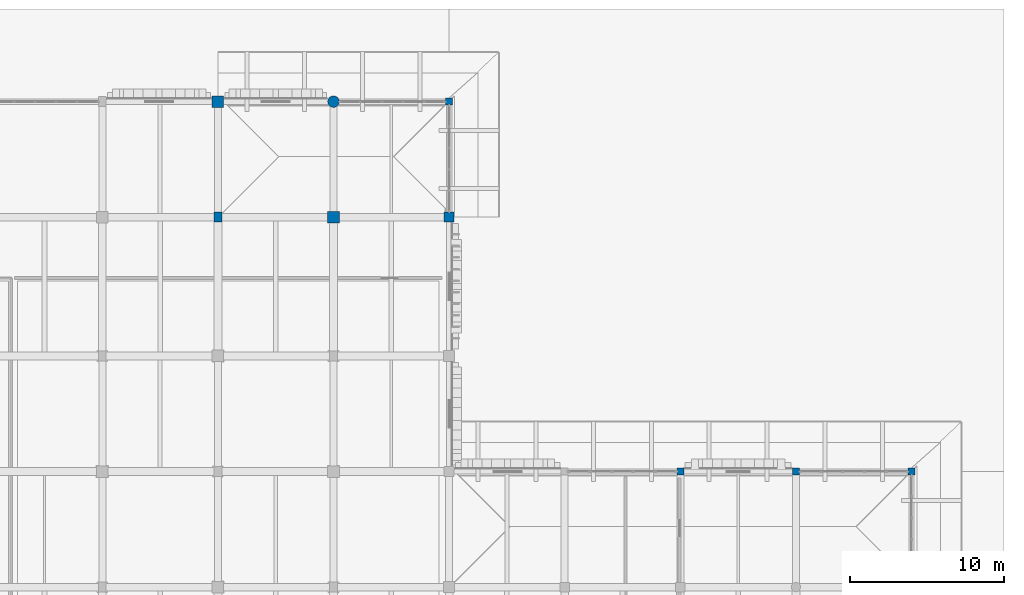
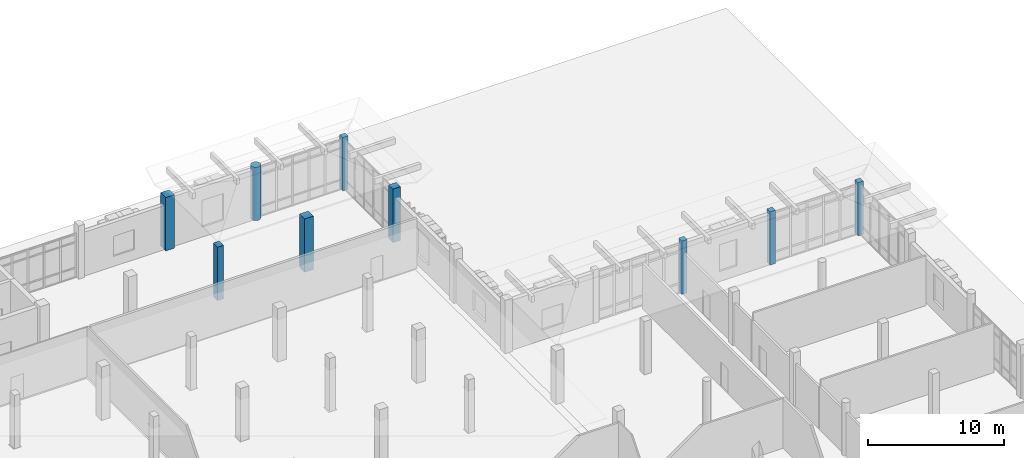
# One storey, part 13 of 125: 9 columns.
"""IFC4 building model written with IfcOpenShell, lengths in metres."""

from ifc_helpers import new_model, si_unit, direction, frame, origin, origin_2d, place, context, subcontext, project, spatial, rectangle, circle, extrude, material, material_profile, profile_set, type_object, element, save


model = new_model("IFC4")

# Units and contexts
model_context = context("Model", 3, precision=1e-05, world=origin(), true_north=direction((0.0, 1.0)))
body_context = subcontext(model_context, "Body", "Model", "MODEL_VIEW")
ifc_project = project(units=[si_unit("LENGTHUNIT", "METRE"), si_unit("AREAUNIT", "SQUARE_METRE"), si_unit("VOLUMEUNIT", "CUBIC_METRE"), si_unit("PLANEANGLEUNIT", "RADIAN"), si_unit("MASSUNIT", "GRAM", prefix="KILO")], contexts=[model_context])

# Site, building, storey
site_placement = place(None, origin())
site = spatial("IfcSite", under=ifc_project, at=site_placement, CompositionType="ELEMENT")
building_placement = place(site_placement, origin())
building = spatial("IfcBuilding", under=site, at=building_placement, Name="Dalvernix Boulevard General Hospital", CompositionType="ELEMENT")
storey_placement = place(building_placement, origin())
storey = spatial("IfcBuildingStorey", under=building, at=storey_placement, Name="L00", CompositionType="ELEMENT", Elevation=0.0)

# Columns
ifc_material = material(Name="Concrete C40/50", Category="concrete")
ifc_material_profile_1 = material_profile(ifc_material, rectangle(XDim=0.75, YDim=0.75, at=origin_2d()), Name="RC 750x750")
ifc_profile_set_1 = profile_set([ifc_material_profile_1], Name="Concrete C40/50")
column_type_1 = type_object("IfcColumnType", Name="COL-C-04-E", PredefinedType="COLUMN", material=ifc_profile_set_1)
column_1_placement = place(storey_placement, frame((127.5, 117.0, 0.0), z_axis=(0.0, 0.0, 1.0), x_axis=(1.0, 0.0, 0.0)))
element("IfcColumn", 1, at=column_1_placement, inside=storey, type_object=column_type_1, Name="L00 column 18R", PredefinedType="COLUMN", context=body_context, shape_type="SweptSolid", body=[
    extrude(rectangle(XDim=0.75, YDim=0.75, at=origin_2d()), origin(), (0.0, 0.0, 1.0), 4.800048828125),
])
ifc_material_profile_2 = material_profile(ifc_material, rectangle(XDim=0.75, YDim=0.75, at=origin_2d()), Name="RC 750x750")
ifc_profile_set_2 = profile_set([ifc_material_profile_2], Name="Concrete C40/50")
column_type_2 = type_object("IfcColumnType", Name="COL-C-04-I", PredefinedType="COLUMN", material=ifc_profile_set_2)
column_2_placement = place(storey_placement, frame((135.0, 109.5, 0.0), z_axis=(0.0, 0.0, 1.0), x_axis=(1.0, 0.0, 0.0)))
element("IfcColumn", 2, at=column_2_placement, inside=storey, type_object=column_type_2, Name="L00 column 19Q", PredefinedType="COLUMN", context=body_context, shape_type="SweptSolid", body=[
    extrude(rectangle(XDim=0.75, YDim=0.75, at=origin_2d()), origin(), (0.0, 0.0, 1.0), 4.800048828125),
])
ifc_material_profile_3 = material_profile(ifc_material, rectangle(XDim=0.64990234375, YDim=0.64990234375, at=origin_2d()), Name="RC 650x650")
ifc_profile_set_3 = profile_set([ifc_material_profile_3], Name="Concrete C40/50")
column_type_3 = type_object("IfcColumnType", Name="COL-C-06-E", PredefinedType="COLUMN", material=ifc_profile_set_3)
column_3_placement = place(storey_placement, frame((142.5, 109.5, 0.0), z_axis=(0.0, 0.0, 1.0), x_axis=(1.0, 0.0, 0.0)))
element("IfcColumn", 3, at=column_3_placement, inside=storey, type_object=column_type_3, Name="L00 column 20Q", PredefinedType="COLUMN", context=body_context, shape_type="SweptSolid", body=[
    extrude(rectangle(XDim=0.64990234375, YDim=0.64990234375, at=origin_2d()), origin(), (0.0, 0.0, 1.0), 4.800048828125),
])
ifc_material_profile_4 = material_profile(ifc_material, rectangle(XDim=0.449951171875, YDim=0.449951171875, at=origin_2d()), Name="RC 450x450")
ifc_profile_set_4 = profile_set([ifc_material_profile_4], Name="Concrete C40/50")
column_type_4 = type_object("IfcColumnType", Name="COL-C-10-E", PredefinedType="COLUMN", material=ifc_profile_set_4)
for number, where, z_axis, x_axis, name in (
    (4, (142.5, 117.0, 0.0), (0.0, 0.0, 1.0), (1.0, 0.0, 0.0), "L00 column 20R"),
    (5, (157.5, 93.0, 0.0), (0.0, 0.0, 1.0), (1.0, 0.0, 0.0), "L00 column 22N"),
    (6, (165.0, 93.0, 0.0), (0.0, 0.0, 1.0), (1.0, 0.0, 0.0), "L00 column 23N"),
    (7, (172.5, 93.0, 0.0), (0.0, 0.0, 1.0), (1.0, 0.0, 0.0), "L00 column 24N"),
):
    element("IfcColumn", number, at=place(storey_placement, frame(where, z_axis=z_axis, x_axis=x_axis)), inside=storey, type_object=column_type_4, Name=name, PredefinedType="COLUMN", context=body_context, shape_type="SweptSolid", body=[
        extrude(rectangle(XDim=0.449951171875, YDim=0.449951171875, at=origin_2d()), origin(), (0.0, 0.0, 1.0), 4.800048828125),
    ])
ifc_material_profile_5 = material_profile(ifc_material, rectangle(XDim=0.5, YDim=0.64990234375, at=origin_2d()), Name="RC 500x650")
ifc_profile_set_5 = profile_set([ifc_material_profile_5], Name="Concrete C40/50")
column_type_5 = type_object("IfcColumnType", Name="COL-C-12-I", PredefinedType="COLUMN", material=ifc_profile_set_5)
column_4_placement = place(storey_placement, frame((127.5, 109.5, 0.0), z_axis=(0.0, 0.0, 1.0), x_axis=(1.0, 0.0, 0.0)))
element("IfcColumn", 8, at=column_4_placement, inside=storey, type_object=column_type_5, Name="L00 column 18Q", PredefinedType="COLUMN", context=body_context, shape_type="SweptSolid", body=[
    extrude(rectangle(XDim=0.5, YDim=0.64990234375, at=origin_2d()), origin(), (0.0, 0.0, 1.0), 4.800048828125),
])
ifc_material_profile_6 = material_profile(ifc_material, circle(Radius=0.375, at=origin_2d()), Name="RC D750")
ifc_profile_set_6 = profile_set([ifc_material_profile_6], Name="Concrete C40/50")
column_type_6 = type_object("IfcColumnType", Name="COL-C-14-E", PredefinedType="COLUMN", material=ifc_profile_set_6)
column_5_placement = place(storey_placement, frame((135.0, 117.0, 0.0), z_axis=(0.0, 0.0, 1.0), x_axis=(1.0, 0.0, 0.0)))
element("IfcColumn", 9, at=column_5_placement, inside=storey, type_object=column_type_6, Name="L00 column 19R", PredefinedType="COLUMN", context=body_context, shape_type="SweptSolid", body=[
    extrude(circle(Radius=0.375, at=origin_2d()), origin(), (0.0, 0.0, 1.0), 4.800048828125),
])

save(model, "model.ifc")
